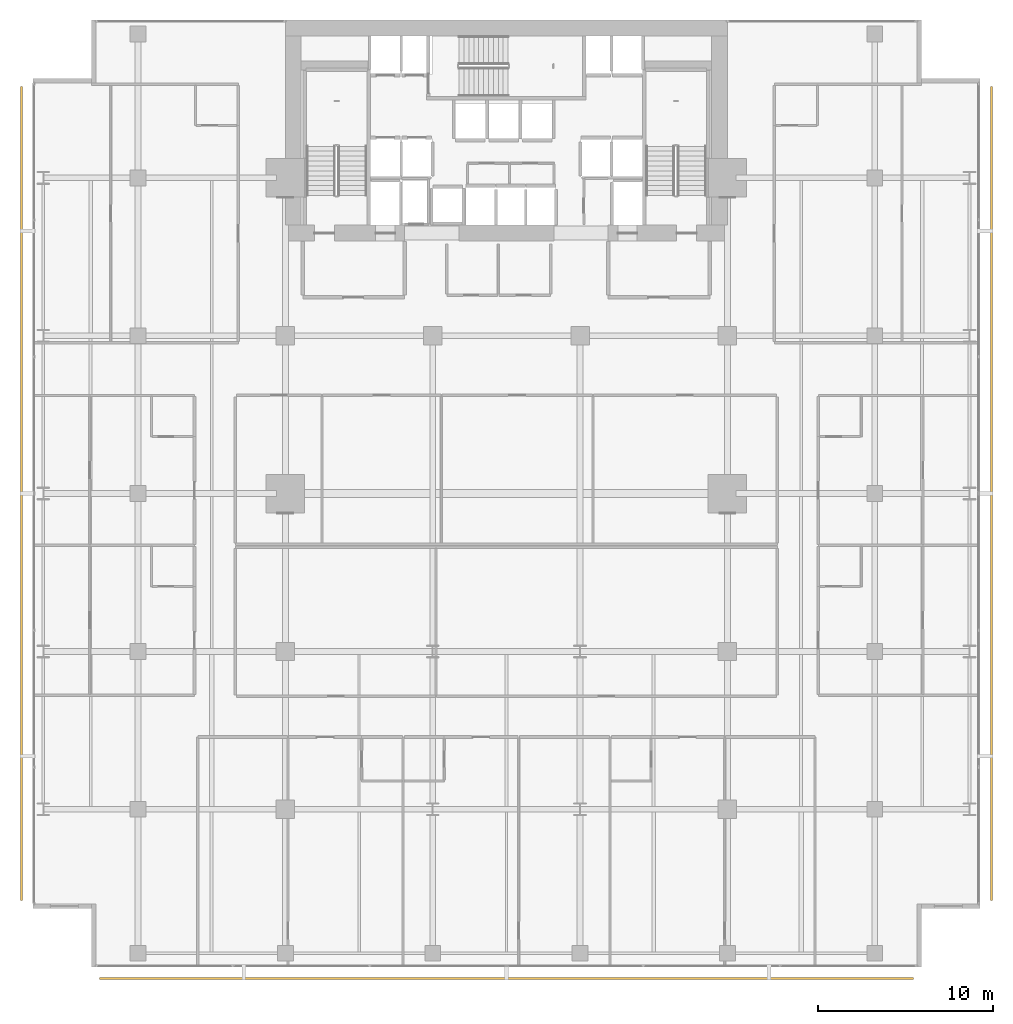
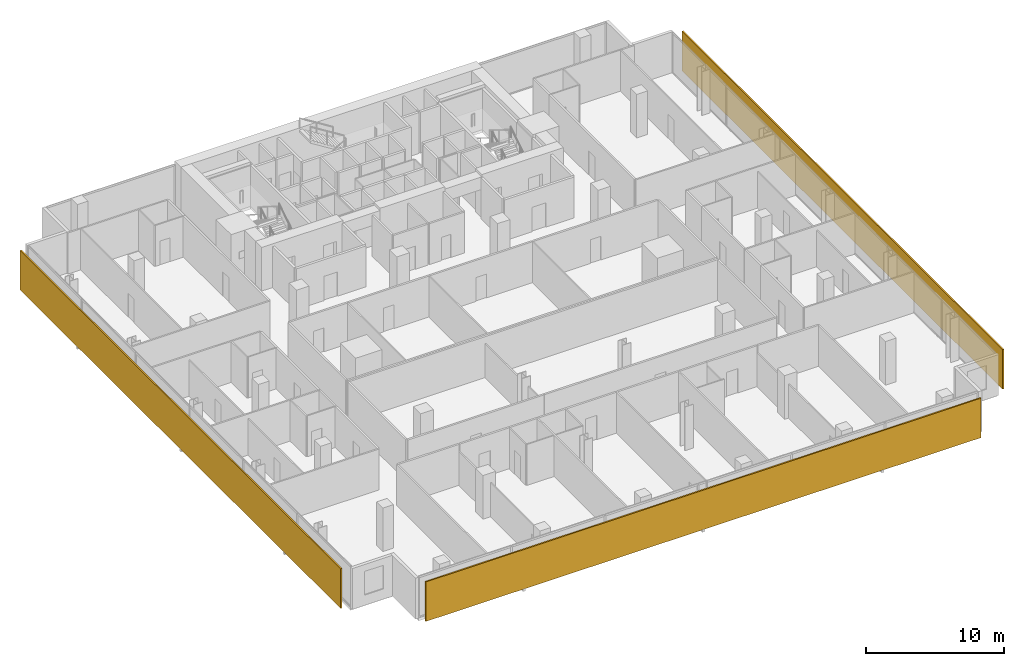
# One storey, part 39 of 40: 3 shading devices.
"""IFC4 building model written with IfcOpenShell, lengths in metres."""

import ifcopenshell
import ifcopenshell.guid

model = None  # the IFC model being written
_history = None  # IfcOwnerHistory: only IFC2X3 demands one
_inside = {}  # id of a spatial element -> (the spatial element, [elements in it])
_under = {}  # id of a project, library or spatial element -> (it, [spatial elements below it])
_declared = {}  # id of a project -> (the project, [libraries it declares])
_typed = {}  # id of a type object -> (the type object, [elements of that type])
_made_of = {}  # id of a material, layer set ... -> (it, [elements and type objects made of it])


def new_model(schema):
    """Start an empty IFC model of exactly this schema.

    Asked for "IFC4X3", IfcOpenShell would pick the latest addendum, in which some entities
    have other attributes; the version numbers below select the first issue.
    IFC2X3 requires an IfcOwnerHistory on every rooted entity: one is made here for all.
    """
    global model, _history
    if schema == "IFC4X3":
        model = ifcopenshell.file(schema_version=(4, 3, 0, 0))
    else:
        model = ifcopenshell.file(schema=schema)
    _inside.clear()
    _under.clear()
    _declared.clear()
    _typed.clear()
    _made_of.clear()
    _history = None
    if model.schema == "IFC2X3":
        org = make("IfcOrganization", Name="unknown")
        user = make(
            "IfcPersonAndOrganization",
            ThePerson=make("IfcPerson", FamilyName="unknown"),
            TheOrganization=org,
        )
        app = make(
            "IfcApplication",
            ApplicationDeveloper=org,
            Version="unknown",
            ApplicationFullName="unknown",
            ApplicationIdentifier="unknown",
        )
        _history = make(
            "IfcOwnerHistory",
            OwningUser=user,
            OwningApplication=app,
            ChangeAction="ADDED",
            CreationDate=0,
        )
    return model


def make(cls, **values):
    """One entity of the class cls with the attributes given. An attribute that is None is left unset."""
    return model.create_entity(
        cls, **{name: value for name, value in values.items() if value is not None}
    )


def rooted(cls, **values):
    """An entity with a GlobalId (a new one), such as an element, a storey or a relation."""
    return make(cls, GlobalId=ifcopenshell.guid.new(), OwnerHistory=_history, **values)


def si_unit(unit_type, name, prefix=None):
    """IfcSIUnit, for example si_unit("LENGTHUNIT", "METRE", prefix="MILLI")."""
    return make("IfcSIUnit", UnitType=unit_type, Prefix=prefix, Name=name)


def assignment(units):
    """IfcUnitAssignment: the units of a project."""
    return None if units is None else make("IfcUnitAssignment", Units=units)


def point(xyz):
    """IfcCartesianPoint."""
    return None if xyz is None else make("IfcCartesianPoint", Coordinates=xyz)


def direction(xyz):
    """IfcDirection."""
    return None if xyz is None else make("IfcDirection", DirectionRatios=xyz)


def frame(location, z_axis=None, x_axis=None):
    """IfcAxis2Placement3D, a coordinate frame: its origin and axes. An axis left out is left unset."""
    return make(
        "IfcAxis2Placement3D",
        Location=point(location),
        Axis=direction(z_axis),
        RefDirection=direction(x_axis),
    )


def frame_2d(location, x_axis=None):
    """IfcAxis2Placement2D, a coordinate frame in the plane: its origin and x axis."""
    return make(
        "IfcAxis2Placement2D", Location=point(location), RefDirection=direction(x_axis)
    )


def origin():
    """The frame at (0, 0, 0) with its axes left unset."""
    return frame((0.0, 0.0, 0.0))


def origin_2d():
    """The frame at (0, 0) in the plane with its x axis left unset."""
    return frame_2d((0.0, 0.0))


def place(relative_to, where):
    """IfcLocalPlacement: puts the frame where relative to a parent placement (None: the world)."""
    return make(
        "IfcLocalPlacement", PlacementRelTo=relative_to, RelativePlacement=where
    )


def context(
    kind, dimensions, precision=None, world=None, true_north=None, identifier=None
):
    """IfcGeometricRepresentationContext, for example the 3D "Model" context."""
    return make(
        "IfcGeometricRepresentationContext",
        ContextIdentifier=identifier,
        ContextType=kind,
        CoordinateSpaceDimension=dimensions,
        Precision=precision,
        WorldCoordinateSystem=world,
        TrueNorth=true_north,
    )


def subcontext(parent, identifier, kind, view, scale=None):
    """IfcGeometricRepresentationSubContext, for example "Body" below "Model"."""
    return make(
        "IfcGeometricRepresentationSubContext",
        ContextIdentifier=identifier,
        ContextType=kind,
        ParentContext=parent,
        TargetScale=scale,
        TargetView=view,
    )


def project(units=None, contexts=None):
    """IfcProject with its units and contexts."""
    return rooted(
        "IfcProject",
        Name="project",
        RepresentationContexts=contexts,
        UnitsInContext=assignment(units),
    )


def spatial(cls, under=None, at=None, **own):
    """A site, building, storey or space (cls), placed at a placement, below another one or the project."""
    s = rooted(cls, ObjectPlacement=at, **own)
    if under is not None:
        _under.setdefault(under.id(), (under, []))[1].append(s)
    return s


def profile(cls, at=None, kind="AREA", **sizes):
    """A parametric profile (cls). Its sizes go by their IFC names, for example OverallWidth=200.0."""
    return make(cls, ProfileType=kind, Position=at, **sizes)


def rectangle(**sizes):
    """IfcRectangleProfileDef."""
    return profile("IfcRectangleProfileDef", **sizes)


def extrude(swept, where, along, depth):
    """IfcExtrudedAreaSolid: the profile swept, set in the frame where, extruded along a direction by depth."""
    return make(
        "IfcExtrudedAreaSolid",
        SweptArea=swept,
        Position=where,
        ExtrudedDirection=direction(along),
        Depth=depth,
    )


def shape(context_of_items, identifier, shape_type, items):
    """IfcShapeRepresentation: the items that make up one representation, for example the "Body"."""
    return make(
        "IfcShapeRepresentation",
        ContextOfItems=context_of_items,
        RepresentationIdentifier=identifier,
        RepresentationType=shape_type,
        Items=items,
    )


def material(Name=None, Category=None):
    """IfcMaterial."""
    return make("IfcMaterial", Name=Name, Category=Category)


def layer(
    of_material, thickness, ventilated=None, Name=None, Category=None, Priority=None
):
    """IfcMaterialLayer: one layer of a wall or slab, of a material (None: an air gap)."""
    return make(
        "IfcMaterialLayer",
        Material=of_material,
        LayerThickness=thickness,
        IsVentilated=ventilated,
        Name=Name,
        Category=Category,
        Priority=Priority,
    )


def layer_set(layers, Name=None):
    """IfcMaterialLayerSet."""
    return make("IfcMaterialLayerSet", MaterialLayers=layers, LayerSetName=Name)


def made_of(thing, what):
    """Note that an element or type object is made of a material, layer set ...; save() writes the relation."""
    if what is not None:
        _made_of.setdefault(what.id(), (what, []))[1].append(thing)
    return thing


def type_object(cls, material=None, **own):
    """A type object (cls), such as IfcWallType, which elements share."""
    return made_of(rooted(cls, **own), material)


def element(
    cls,
    number,
    at=None,
    inside=None,
    cuts=None,
    type_object=None,
    material=None,
    context=None,
    identifier="Body",
    shape_type=None,
    held_by="IfcProductDefinitionShape",
    body=None,
    shapes=None,
    **own,
):
    """One element of the class cls, such as IfcWall. Its Tag is "e" and its number.

    at: its placement. inside: the storey or other place that contains it. cuts: it is an
    opening in that element (IfcRelVoidsElement). A single representation is given by context,
    identifier, shape_type and body (its items); several are given by shapes. held_by: the class
    of the entity that holds the representations. save() writes the other relations.
    """
    e = rooted(cls, Tag="e%d" % number, ObjectPlacement=at, **own)
    if body is not None:
        shapes = [shape(context, identifier, shape_type, body)]
    if shapes is not None:
        e.Representation = make(held_by, Representations=shapes)
    if inside is not None:
        _inside.setdefault(inside.id(), (inside, []))[1].append(e)
    if cuts is not None:
        rooted(
            "IfcRelVoidsElement", RelatingBuildingElement=cuts, RelatedOpeningElement=e
        )
    if type_object is not None:
        _typed.setdefault(type_object.id(), (type_object, []))[1].append(e)
    return made_of(e, material)


def aggregate(whole, parts):
    """IfcRelAggregates: a whole, such as a stair, and the parts it consists of."""
    return rooted("IfcRelAggregates", RelatingObject=whole, RelatedObjects=parts)


def save(model, path):
    """Write the relations noted so far, then the file.

    IfcRelAggregates (storeys below a building ...), IfcRelContainedInSpatialStructure (elements
    in a storey), IfcRelDefinesByType, IfcRelAssociatesMaterial and IfcRelDeclares: one each for
    every whole, place, type object, material and project.
    """
    for whole, parts in _under.values():
        aggregate(whole, parts)
    for where, things in _inside.values():
        rooted(
            "IfcRelContainedInSpatialStructure",
            RelatedElements=things,
            RelatingStructure=where,
        )
    for kind, things in _typed.values():
        rooted("IfcRelDefinesByType", RelatedObjects=things, RelatingType=kind)
    for what, things in _made_of.values():
        rooted("IfcRelAssociatesMaterial", RelatedObjects=things, RelatingMaterial=what)
    for by, libraries in _declared.values():
        rooted("IfcRelDeclares", RelatingContext=by, RelatedDefinitions=libraries)
    model.write(path)


model = new_model("IFC4")

# Units and contexts
model_context = context("Model", 3, precision=1e-05, world=origin(), true_north=direction((0.0, 1.0)))
body_context = subcontext(model_context, "Body", "Model", "MODEL_VIEW")
ifc_project = project(units=[si_unit("LENGTHUNIT", "METRE"), si_unit("AREAUNIT", "SQUARE_METRE"), si_unit("VOLUMEUNIT", "CUBIC_METRE"), si_unit("PLANEANGLEUNIT", "RADIAN"), si_unit("MASSUNIT", "GRAM", prefix="KILO")], contexts=[model_context])

# Site, building, storey
site_placement = place(None, origin())
site = spatial("IfcSite", under=ifc_project, at=site_placement, CompositionType="ELEMENT")
building_placement = place(site_placement, origin())
building = spatial("IfcBuilding", under=site, at=building_placement, Name="Maruvema Waterfront Hotel and Observation Tower", CompositionType="ELEMENT")
storey_placement = place(building_placement, frame((0.0, 0.0, 73.14990234375)))
storey = spatial("IfcBuildingStorey", under=building, at=storey_placement, Name="L17", CompositionType="ELEMENT", Elevation=73.14990234375)

# Shading devices
ifc_material = material(Name="Honed travertine stone and anodised architectural bronze", Category="masonry")
ifc_layer = layer(ifc_material, 0.1201171875, Name="Ventilated Outer Skin Cobogo Stone-and-Bronze Screen 120 mm")
ifc_layer_set = layer_set([ifc_layer], Name="Honed travertine stone and anodised architectural bronze")
shading_device_type = type_object("IfcShadingDeviceType", Name="Ventilated Outer Skin Cobogo Stone-and-Bronze Screen 120 mm", PredefinedType="USERDEFINED", material=ifc_layer_set)
for number, where, z_axis, x_axis, name in (
    (1, (37.800048828125, -0.64990234375, 0.06005859375), (0.0, 0.0, 1.0), (1.0, 0.0, 0.0), "L17 Ventilated Double-Skin Outer Cobogo Screen OS-L17-S"),
    (2, (65.449951171875, 27.0, 0.06005859375), (0.0, 0.0, 1.0), (0.0, 1.0, 0.0), "L17 Ventilated Double-Skin Outer Cobogo Screen OS-L17-E"),
    (3, (10.14990234375, 27.0, 0.06005859375), (0.0, 0.0, 1.0), (0.0, -1.0, 0.0), "L17 Ventilated Double-Skin Outer Cobogo Screen OS-L17-W"),
):
    element("IfcShadingDevice", number, at=place(storey_placement, frame(where, z_axis=z_axis, x_axis=x_axis)), inside=storey, type_object=shading_device_type, Name=name, ObjectType="OUTER SKIN SCREEN", PredefinedType="USERDEFINED", context=body_context, shape_type="SweptSolid", body=[
        extrude(rectangle(XDim=46.39990234375, YDim=0.1201171875, at=origin_2d()), origin(), (0.0, 0.0, 1.0), 3.489990234375),
    ])

save(model, "model.ifc")
